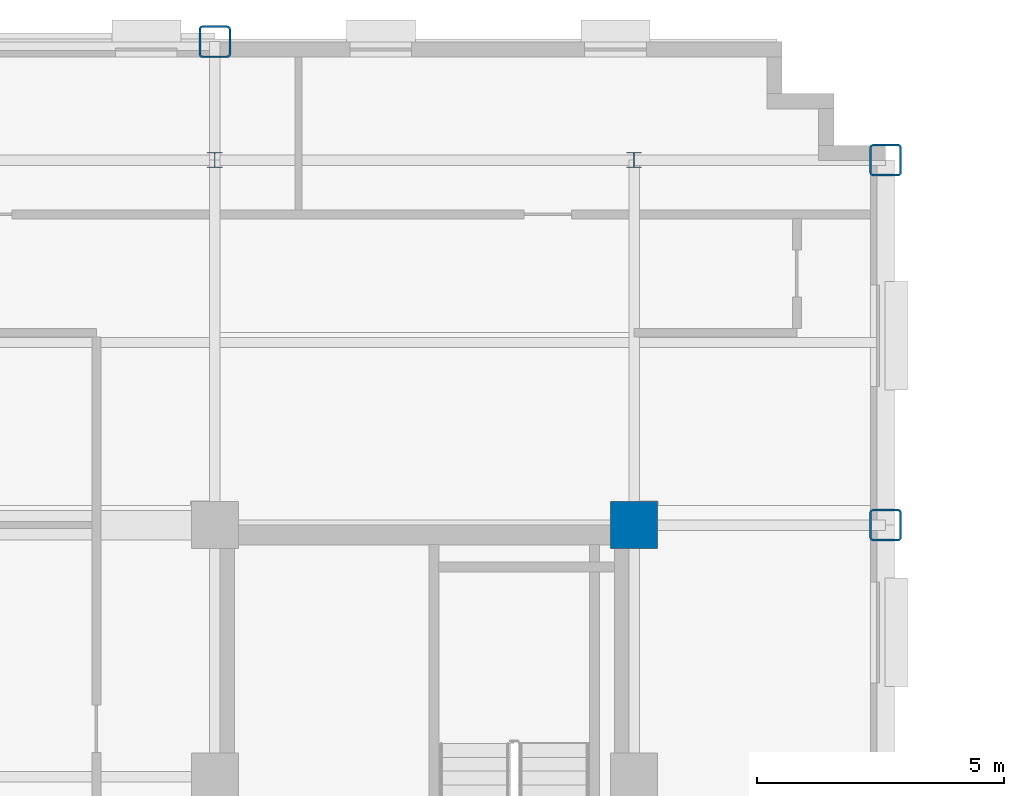
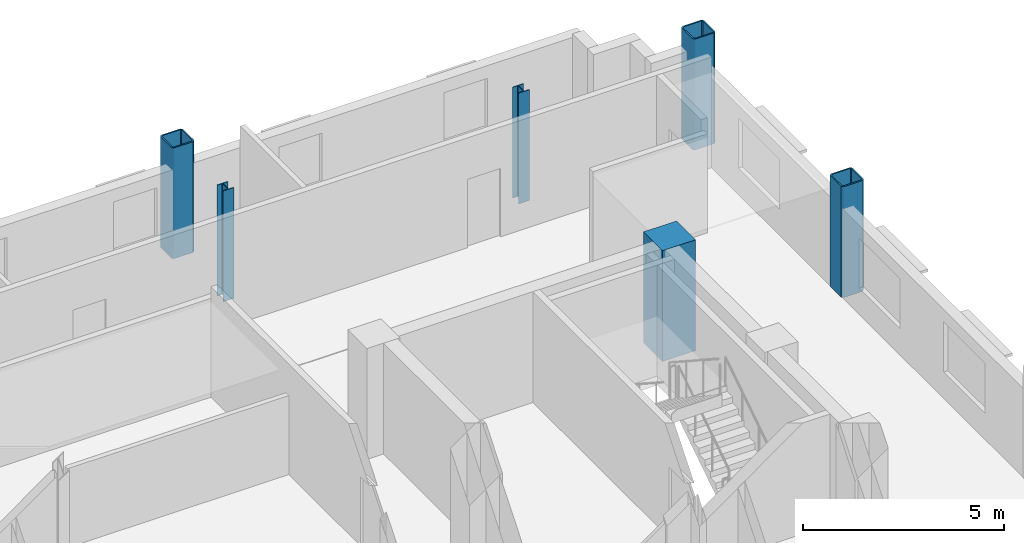
# One storey, part 4 of 14: 6 columns.
"""IFC4 building model written with IfcOpenShell, lengths in metres."""

from ifc_helpers import new_model, si_unit, direction, frame, origin, origin_2d, place, context, subcontext, project, spatial, rectangle, hollow_rectangle, i_section, extrude, material, material_profile, profile_set, type_object, element, save


model = new_model("IFC4")

# Units and contexts
model_context = context("Model", 3, precision=1e-05, world=origin(), true_north=direction((0.0, 1.0)))
body_context = subcontext(model_context, "Body", "Model", "MODEL_VIEW")
ifc_project = project(units=[si_unit("LENGTHUNIT", "METRE"), si_unit("AREAUNIT", "SQUARE_METRE"), si_unit("VOLUMEUNIT", "CUBIC_METRE"), si_unit("PLANEANGLEUNIT", "RADIAN"), si_unit("MASSUNIT", "GRAM", prefix="KILO")], contexts=[model_context])

# Site, building, storey
site_placement = place(None, origin())
site = spatial("IfcSite", under=ifc_project, at=site_placement, CompositionType="ELEMENT")
building_placement = place(site_placement, origin())
building = spatial("IfcBuilding", under=site, at=building_placement, Name="Nuvemarco Arch Tower", CompositionType="ELEMENT")
storey_placement = place(building_placement, frame((0.0, 0.0, 178.60009765625)))
storey = spatial("IfcBuildingStorey", under=building, at=storey_placement, Name="L47", CompositionType="ELEMENT", Elevation=178.60009765625)

# Columns
ifc_material_1 = material(Name="Concrete C50/60", Category="concrete")
ifc_material_profile_1 = material_profile(ifc_material_1, rectangle(XDim=0.949951171875, YDim=0.949951171875, at=origin_2d()), Name="RC-COL-950x950")
ifc_profile_set_1 = profile_set([ifc_material_profile_1], Name="Concrete C50/60")
column_type_1 = type_object("IfcColumnType", Name="COL-CORE-950", PredefinedType="COLUMN", material=ifc_profile_set_1)
column_placement = place(storey_placement, frame((17.5, 9.60009765625, 0.0), z_axis=(0.0, 0.0, 1.0), x_axis=(1.0, 0.0, 0.0)))
element("IfcColumn", 1, at=column_placement, inside=storey, type_object=column_type_1, Name="L47 column CC_+17.5_+9.6", PredefinedType="COLUMN", context=body_context, shape_type="SweptSolid", body=[
    extrude(rectangle(XDim=0.949951171875, YDim=0.949951171875, at=origin_2d()), origin(), (0.0, 0.0, 1.0), 3.369873046875),
])
ifc_material_2 = material(Name="Steel S355", Category="steel")
ifc_material_profile_2 = material_profile(ifc_material_2, hollow_rectangle(XDim=0.64990234375, YDim=0.64990234375, WallThickness=0.0400390625, InnerFilletRadius=0.0400390625, OuterFilletRadius=0.080078125, at=origin_2d()), Name="SHS650x650x40")
ifc_profile_set_2 = profile_set([ifc_material_profile_2], Name="Steel S355")
column_type_2 = type_object("IfcColumnType", Name="COL-EXO-650", PredefinedType="COLUMN", material=ifc_profile_set_2)
for number, where, z_axis, x_axis, name in (
    (2, (22.60009765625, 9.60009765625, 0.0), (0.0, 0.0, 1.0), (1.0, 0.0, 0.0), "L47 column CX_+22.6_+9.6"),
    (3, (22.60009765625, 17.0, 0.0), (0.0, 0.0, 1.0), (1.0, 0.0, 0.0), "L47 column CX_+22.6_+17.0"),
    (4, (9.0, 19.39990234375, 0.0), (0.0, 0.0, 1.0), (1.0, 0.0, 0.0), "L47 column CY_+9.0_+19.4"),
):
    element("IfcColumn", number, at=place(storey_placement, frame(where, z_axis=z_axis, x_axis=x_axis)), inside=storey, type_object=column_type_2, Name=name, PredefinedType="COLUMN", context=body_context, shape_type="SweptSolid", body=[
        extrude(hollow_rectangle(XDim=0.64990234375, YDim=0.64990234375, WallThickness=0.0400390625, InnerFilletRadius=0.0400390625, OuterFilletRadius=0.080078125, at=origin_2d()), origin(), (0.0, 0.0, 1.0), 3.369873046875),
    ])
ifc_material_profile_3 = material_profile(ifc_material_2, i_section(OverallWidth=0.31005859375, OverallDepth=0.31005859375, WebThickness=0.015380859375, FlangeThickness=0.015380859375, FilletRadius=0.014892578125, at=origin_2d()), Name="HP310x110")
ifc_profile_set_3 = profile_set([ifc_material_profile_3], Name="Steel S355")
column_type_3 = type_object("IfcColumnType", Name="COL-STL-HP310", PredefinedType="COLUMN", material=ifc_profile_set_3)
for number, where, z_axis, x_axis, name in (
    (5, (9.0, 17.0, 0.0), (0.0, 0.0, 1.0), (1.0, 0.0, 0.0), "L47 column CI_+9.0_+17.0"),
    (6, (17.5, 17.0, 0.0), (0.0, 0.0, 1.0), (1.0, 0.0, 0.0), "L47 column CI_+17.5_+17.0"),
):
    element("IfcColumn", number, at=place(storey_placement, frame(where, z_axis=z_axis, x_axis=x_axis)), inside=storey, type_object=column_type_3, Name=name, PredefinedType="COLUMN", context=body_context, shape_type="SweptSolid", body=[
        extrude(i_section(OverallWidth=0.31005859375, OverallDepth=0.31005859375, WebThickness=0.015380859375, FlangeThickness=0.015380859375, FilletRadius=0.014892578125, at=origin_2d()), origin(), (0.0, 0.0, 1.0), 3.369873046875),
    ])

save(model, "model.ifc")
